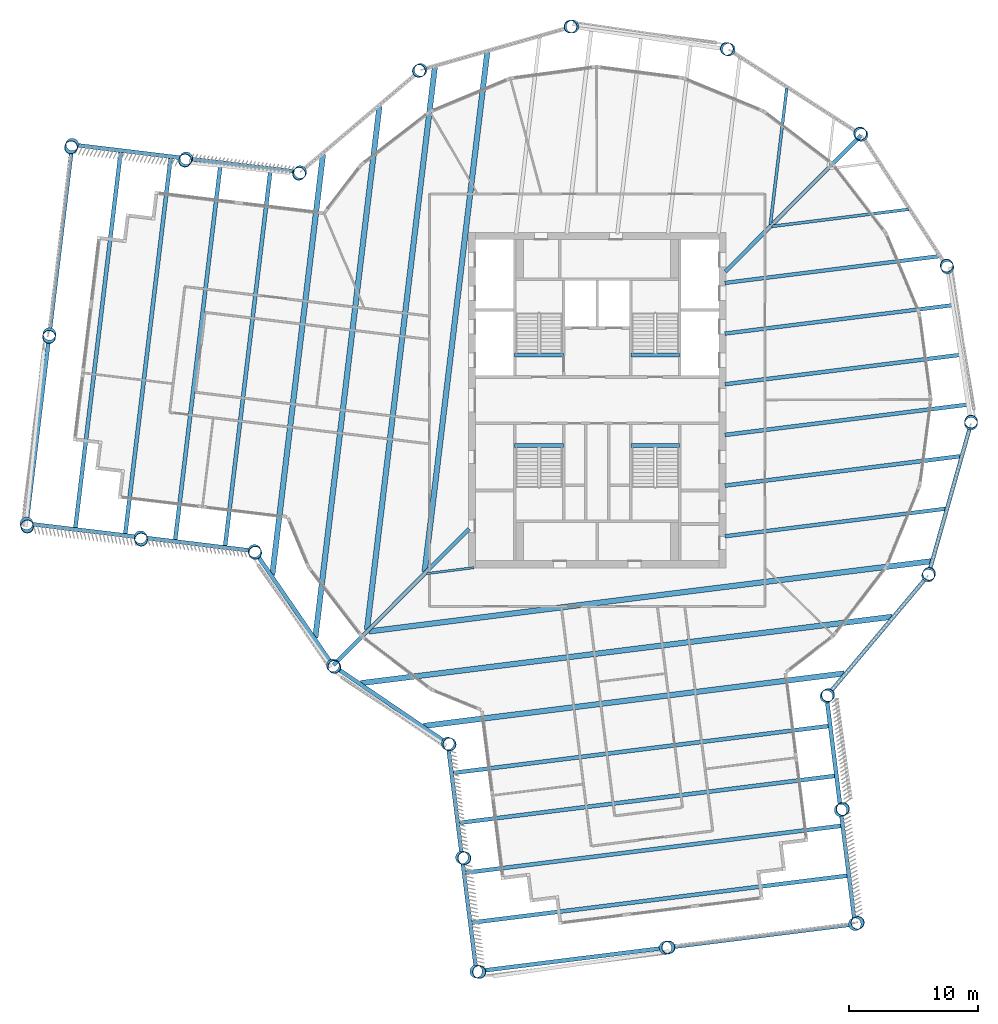
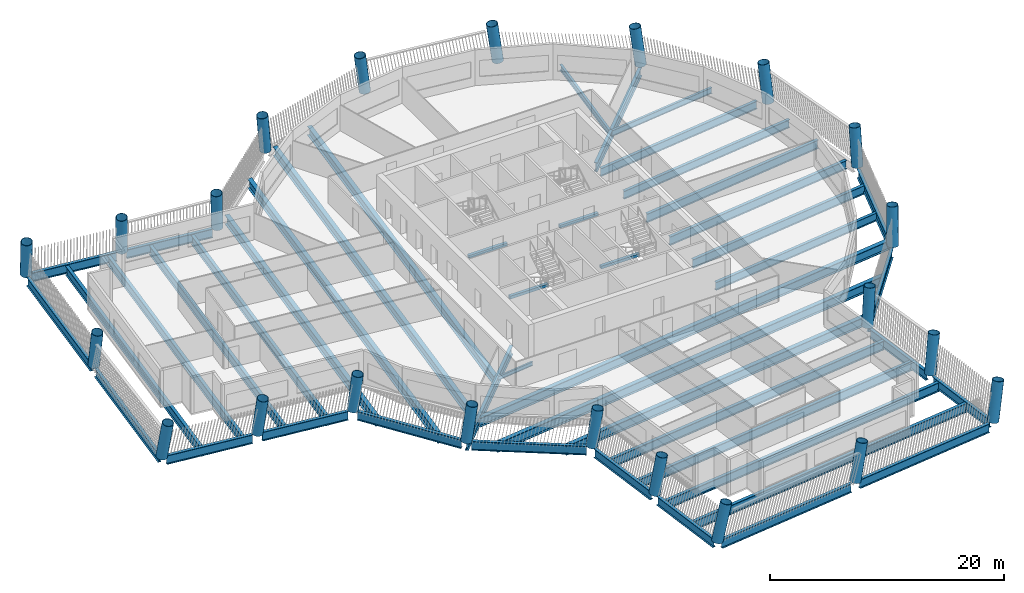
# One storey, part 1 of 14: 46 beams, 22 columns.
"""IFC4 building model written with IfcOpenShell, lengths in metres."""

from ifc_helpers import new_model, si_unit, direction, frame, origin, origin_2d, place, context, subcontext, project, spatial, rectangle, hollow_circle, i_section, extrude, material, material_profile, profile_set, type_object, element, save


model = new_model("IFC4")

# Units and contexts
model_context = context("Model", 3, precision=1e-05, world=origin(), true_north=direction((0.0, 1.0)))
body_context = subcontext(model_context, "Body", "Model", "MODEL_VIEW")
ifc_project = project(units=[si_unit("LENGTHUNIT", "METRE"), si_unit("AREAUNIT", "SQUARE_METRE"), si_unit("VOLUMEUNIT", "CUBIC_METRE"), si_unit("PLANEANGLEUNIT", "RADIAN"), si_unit("MASSUNIT", "GRAM", prefix="KILO")], contexts=[model_context])

# Site, building, storey
site_placement = place(None, origin())
site = spatial("IfcSite", under=ifc_project, at=site_placement, CompositionType="ELEMENT")
building_placement = place(site_placement, origin())
building = spatial("IfcBuilding", under=site, at=building_placement, Name="Tarsis Ring Headquarters", CompositionType="ELEMENT")
storey_placement = place(building_placement, frame((0.0, 0.0, 259.10009765625)))
storey = spatial("IfcBuildingStorey", under=building, at=storey_placement, Name="L60", CompositionType="ELEMENT", Elevation=259.10009765625)

# Columns
ifc_material_1 = material(Name="Structural steel S355", Category="steel")
ifc_material_profile_1 = material_profile(ifc_material_1, hollow_circle(Radius=0.508056640625, WallThickness=0.0400390625, at=origin_2d()), Name="CHS 1016x40")
ifc_profile_set_1 = profile_set([ifc_material_profile_1], Name="Structural steel S355")
column_type = type_object("IfcColumnType", Name="XC Exo column CHS 1016x40", PredefinedType="COLUMN", material=ifc_profile_set_1)
for number, where, z_axis, x_axis, name in (
    (1, (-20.497314453125, -20.58349609375, 0.0009765625), (0.0921771518, -0.090189504322, 0.991649749658), (0.69935835737, 0.71477121373, 0.0), "Exo column XC6 F1"),
    (2, (-11.587646484375, -26.63720703125, 0.0009765625), (0.118700033042, -0.050374529983, 0.991651505764), (0.390661179259, 0.920534542003, 0.0), "Exo column XC6 AK"),
):
    element("IfcColumn", number, at=place(storey_placement, frame(where, z_axis=z_axis, x_axis=x_axis)), inside=storey, type_object=column_type, Name=name, PredefinedType="COLUMN", context=body_context, shape_type="SweptSolid", body=[
        extrude(hollow_circle(Radius=0.508056640625, WallThickness=0.0400390625, at=origin_2d()), origin(), (0.0, 0.0, 1.0), 3.930419921875),
    ])
column_1_placement = place(storey_placement, frame((-10.484130859375, -35.470947265625, 0.001220703125), z_axis=(0.157033543302, -0.044866726658, 0.986573587279), x_axis=(0.274721127897, 0.961523947641, 0.0)))
element("IfcColumn", 3, at=column_1_placement, inside=storey, type_object=column_type, Name="Exo column XC6 AI1", PredefinedType="COLUMN", context=body_context, shape_type="SweptSolid", body=[
    extrude(hollow_circle(Radius=0.508056640625, WallThickness=0.0400390625, at=origin_2d()), origin(), (0.0, 0.0, 1.0), 3.950439453125),
])
column_2_placement = place(storey_placement, frame((-9.380615234375, -44.304443359375, 0.00146484375), z_axis=(0.194700117411, -0.039418945247, 0.980070411264), x_axis=(0.198433738261, 0.980114305334, 0.0)))
element("IfcColumn", 4, at=column_2_placement, inside=storey, type_object=column_type, Name="Exo column XC6 AT1", PredefinedType="COLUMN", context=body_context, shape_type="SweptSolid", body=[
    extrude(hollow_circle(Radius=0.508056640625, WallThickness=0.0400390625, at=origin_2d()), origin(), (0.0, 0.0, 1.0), 3.976318359375),
])
column_3_placement = place(storey_placement, frame((5.30517578125, -42.469970703125, 0.00146484375), z_axis=(0.186496685515, 0.024981080277, 0.982137939355), x_axis=(-0.132763440397, 0.991147753311, 0.0)))
element("IfcColumn", 5, at=column_3_placement, inside=storey, type_object=column_type, Name="Exo column XC6 AT2", PredefinedType="COLUMN", context=body_context, shape_type="SweptSolid", body=[
    extrude(hollow_circle(Radius=0.508056640625, WallThickness=0.0400390625, at=origin_2d()), origin(), (0.0, 0.0, 1.0), 3.9677734375),
])
column_4_placement = place(storey_placement, frame((19.9912109375, -40.635498046875, 0.00146484375), z_axis=(0.177447051542, 0.089276129046, 0.980072607862), x_axis=(-0.449437762577, 0.893311646387, 0.0)))
element("IfcColumn", 6, at=column_4_placement, inside=storey, type_object=column_type, Name="Exo column XC6 AT3", PredefinedType="COLUMN", context=body_context, shape_type="SweptSolid", body=[
    extrude(hollow_circle(Radius=0.508056640625, WallThickness=0.0400390625, at=origin_2d()), origin(), (0.0, 0.0, 1.0), 3.976318359375),
])
column_5_placement = place(storey_placement, frame((18.8876953125, -31.8017578125, 0.001220703125), z_axis=(0.139668304049, 0.084604384178, 0.986577347714), x_axis=(-0.518108788532, 0.855314727598, 0.0)))
element("IfcColumn", 7, at=column_5_placement, inside=storey, type_object=column_type, Name="Exo column XC6 AO1", PredefinedType="COLUMN", context=body_context, shape_type="SweptSolid", body=[
    extrude(hollow_circle(Radius=0.508056640625, WallThickness=0.0400390625, at=origin_2d()), origin(), (0.0, 0.0, 1.0), 3.950439453125),
])
for number, where, z_axis, x_axis, name in (
    (8, (17.7841796875, -22.96826171875, 0.0009765625), (0.101246269004, 0.079816843969, 0.991654407761), (-0.619097399461, 0.785314210989, 0.0), "Exo column XC6 AJ"),
    (9, (25.67041015625, -13.595947265625, 0.0009765625), (0.059319070244, 0.114476488439, 0.99165335753), (-0.887878454079, 0.460078092048, 0.0), "Exo column XC6 R1"),
    (10, (28.992431640625, -1.80615234375, 0.0009765625), (0.006832553113, 0.128762569128, 0.991651913228), (-0.99859511486, 0.052988645748, 0.0), "Exo column XC6 R2"),
    (11, (27.1591796875, 10.3046875, 0.0009765625), (-0.046772117996, 0.120129184867, 0.991655861638), (-0.931859919004, -0.362818262156, 0.0), "Exo column XC6 R3"),
    (12, (20.497314453125, 20.58349609375, 0.0009765625), (-0.0921771518, 0.090189504322, 0.991649749658), (-0.69935835737, -0.71477121373, 0.0), "Exo column XC6 R4"),
    (13, (10.190673828125, 27.202392578125, 0.0009765625), (-0.121122861452, 0.044163258714, 0.991654606712), (-0.342555302848, -0.939497666038, 0.0), "Exo column XC6 R5"),
    (14, (-1.927734375, 28.984375, 0.0009765625), (-0.128576351779, -0.009627697839, 0.991652877371), (0.074670185581, -0.997208284856, 0.0), "Exo column XC6 R6"),
    (15, (-13.70361328125, 25.613037109375, 0.0009765625), (-0.113110544893, -0.061803949571, 0.991658346635), (0.479493517059, -0.877545421673, 0.0), "Exo column XC6 R7"),
    (16, (-23.042724609375, 17.6875, 0.0009765625), (-0.077581100465, -0.102923845853, 0.99165914245), (0.798551898532, -0.601925963347, 0.0), "Exo column XC6 BJ"),
):
    element("IfcColumn", number, at=place(storey_placement, frame(where, z_axis=z_axis, x_axis=x_axis)), inside=storey, type_object=column_type, Name=name, PredefinedType="COLUMN", context=body_context, shape_type="SweptSolid", body=[
        extrude(hollow_circle(Radius=0.508056640625, WallThickness=0.0400390625, at=origin_2d()), origin(), (0.0, 0.0, 1.0), 3.930419921875),
    ])
column_6_placement = place(storey_placement, frame((-31.880859375, 18.75390625, 0.001220703125), z_axis=(-0.081576152661, -0.141460464728, 0.986577046275), x_axis=(0.866280078926, -0.499558630049, 0.0)))
element("IfcColumn", 17, at=column_6_placement, inside=storey, type_object=column_type, Name="Exo column XC6 BO1", PredefinedType="COLUMN", context=body_context, shape_type="SweptSolid", body=[
    extrude(hollow_circle(Radius=0.508056640625, WallThickness=0.0400390625, at=origin_2d()), origin(), (0.0, 0.0, 1.0), 3.950439453125),
])
column_7_placement = place(storey_placement, frame((-40.718994140625, 19.820068359375, 0.00146484375), z_axis=(-0.08540870064, -0.179290730316, 0.980081725101), x_axis=(0.902797645031, -0.430065590493, 0.0)))
element("IfcColumn", 18, at=column_7_placement, inside=storey, type_object=column_type, Name="Exo column XC6 BT3", PredefinedType="COLUMN", context=body_context, shape_type="SweptSolid", body=[
    extrude(hollow_circle(Radius=0.508056640625, WallThickness=0.0400390625, at=origin_2d()), origin(), (0.0, 0.0, 1.0), 3.97607421875),
])
column_8_placement = place(storey_placement, frame((-42.491943359375, 5.126708984375, 0.00146484375), z_axis=(-0.020858880188, -0.186930023628, 0.982151756799), x_axis=(0.993831762431, -0.110898277638, 0.0)))
element("IfcColumn", 19, at=column_8_placement, inside=storey, type_object=column_type, Name="Exo column XC6 BT2", PredefinedType="COLUMN", context=body_context, shape_type="SweptSolid", body=[
    extrude(hollow_circle(Radius=0.508056640625, WallThickness=0.0400390625, at=origin_2d()), origin(), (0.0, 0.0, 1.0), 3.9677734375),
])
column_9_placement = place(storey_placement, frame((-44.2646484375, -9.566650390625, 0.00146484375), z_axis=(0.043655688244, -0.193779679462, 0.980073271093), x_axis=(0.975550141618, 0.219776980574, 0.0)))
element("IfcColumn", 20, at=column_9_placement, inside=storey, type_object=column_type, Name="Exo column XC6 BT1", PredefinedType="COLUMN", context=body_context, shape_type="SweptSolid", body=[
    extrude(hollow_circle(Radius=0.508056640625, WallThickness=0.0400390625, at=origin_2d()), origin(), (0.0, 0.0, 1.0), 3.976318359375),
])
column_10_placement = place(storey_placement, frame((-35.426513671875, -10.633056640625, 0.001220703125), z_axis=(0.048327673921, -0.155983438588, 0.98657670904), x_axis=(0.955204408698, 0.295946849288, 0.0)))
element("IfcColumn", 21, at=column_10_placement, inside=storey, type_object=column_type, Name="Exo column XC6 BI1", PredefinedType="COLUMN", context=body_context, shape_type="SweptSolid", body=[
    extrude(hollow_circle(Radius=0.508056640625, WallThickness=0.0400390625, at=origin_2d()), origin(), (0.0, 0.0, 1.0), 3.950439453125),
])
column_11_placement = place(storey_placement, frame((-26.58837890625, -11.69921875, 0.0009765625), z_axis=(0.052921237328, -0.117582044908, 0.991652058615), x_axis=(0.911894462824, 0.410424766152, 0.0)))
element("IfcColumn", 22, at=column_11_placement, inside=storey, type_object=column_type, Name="Exo column XC6 BK", PredefinedType="COLUMN", context=body_context, shape_type="SweptSolid", body=[
    extrude(hollow_circle(Radius=0.508056640625, WallThickness=0.0400390625, at=origin_2d()), origin(), (0.0, 0.0, 1.0), 3.930419921875),
])

# Beams
ifc_material_profile_2 = material_profile(ifc_material_1, i_section(OverallWidth=0.177734375, OverallDepth=0.406494140625, WebThickness=0.0078125, FlangeThickness=0.0126953125, at=origin_2d()), Name="W16x40")
ifc_profile_set_2 = profile_set([ifc_material_profile_2], Name="Structural steel S355")
beam_type_1 = type_object("IfcBeamType", Name="FB Floor beam W16x40", PredefinedType="JOIST", material=ifc_profile_set_2)
beam_1_placement = place(storey_placement, frame((-13.259033203125, -13.447021484375, -0.36328125), z_axis=(0.992290029632, 0.123937472509, 0.0), x_axis=(-0.123937472509, 0.992290029632, 0.0)))
element("IfcBeam", 23, at=beam_1_placement, inside=storey, type_object=beam_type_1, Name="Floor beam FB1", PredefinedType="JOIST", context=body_context, shape_type="SweptSolid", body=[
    extrude(i_section(OverallWidth=0.177734375, OverallDepth=0.406494140625, WebThickness=0.0078125, FlangeThickness=0.0126953125, at=origin_2d()), origin(), (0.0, 0.0, 1.0), 3.707275390625),
])
ifc_material_profile_3 = material_profile(ifc_material_1, i_section(OverallWidth=0.228271484375, OverallDepth=0.607177734375, WebThickness=0.01123046875, FlangeThickness=0.017333984375, at=origin_2d()), Name="W24x76")
ifc_profile_set_3 = profile_set([ifc_material_profile_3], Name="Structural steel S355")
beam_type_2 = type_object("IfcBeamType", Name="FB Floor beam W24x76", PredefinedType="JOIST", material=ifc_profile_set_3)
beam_2_placement = place(storey_placement, frame((13.56005859375, 13.484619140625, -0.463623046875), z_axis=(0.992287716249, 0.123955992923, 0.0), x_axis=(-0.123955992923, 0.992287716249, 0.0)))
element("IfcBeam", 24, at=beam_2_placement, inside=storey, type_object=beam_type_2, Name="Floor beam FB4", PredefinedType="JOIST", context=body_context, shape_type="SweptSolid", body=[
    extrude(i_section(OverallWidth=0.228271484375, OverallDepth=0.607177734375, WebThickness=0.01123046875, FlangeThickness=0.017333984375, at=origin_2d()), origin(), (0.0, 0.0, 1.0), 10.68505859375),
])
beam_3_placement = place(storey_placement, frame((14.707763671875, 24.224365234375, -0.463623046875), z_axis=(-0.119798415586, -0.992798237117, 0.0), x_axis=(0.992798237117, -0.119798415586, 0.0)))
element("IfcBeam", 25, at=beam_3_placement, inside=storey, type_object=beam_type_2, Name="Floor beam FB4", PredefinedType="JOIST", context=body_context, shape_type="SweptSolid", body=[
    extrude(i_section(OverallWidth=0.228271484375, OverallDepth=0.607177734375, WebThickness=0.01123046875, FlangeThickness=0.017333984375, at=origin_2d()), origin(), (0.0, 0.0, 1.0), 10.684814453125),
])
ifc_material_profile_4 = material_profile(ifc_material_1, i_section(OverallWidth=0.2919921875, OverallDepth=0.835693359375, WebThickness=0.013916015625, FlangeThickness=0.018798828125, at=origin_2d()), Name="W33x118")
ifc_profile_set_4 = profile_set([ifc_material_profile_4], Name="Structural steel S355")
beam_type_3 = type_object("IfcBeamType", Name="FB Floor beam W33x118", PredefinedType="JOIST", material=ifc_profile_set_4)
beam_4_placement = place(storey_placement, frame((9.90087890625, 9.097412109375, -0.577880859375), z_axis=(0.99228953466, 0.123941435383, 0.0), x_axis=(-0.123941435383, 0.99228953466, 0.0)))
element("IfcBeam", 26, at=beam_4_placement, inside=storey, type_object=beam_type_3, Name="Floor beam FB7", PredefinedType="JOIST", context=body_context, shape_type="SweptSolid", body=[
    extrude(i_section(OverallWidth=0.2919921875, OverallDepth=0.835693359375, WebThickness=0.013916015625, FlangeThickness=0.018798828125, at=origin_2d()), origin(), (0.0, 0.0, 1.0), 16.747314453125),
])
beam_5_placement = place(storey_placement, frame((9.90087890625, 5.1669921875, -0.577880859375), z_axis=(0.992288222213, 0.123951942535, 0.0), x_axis=(-0.123951942535, 0.992288222213, 0.0)))
element("IfcBeam", 27, at=beam_5_placement, inside=storey, type_object=beam_type_3, Name="Floor beam FB7", PredefinedType="JOIST", context=body_context, shape_type="SweptSolid", body=[
    extrude(i_section(OverallWidth=0.2919921875, OverallDepth=0.835693359375, WebThickness=0.013916015625, FlangeThickness=0.018798828125, at=origin_2d()), origin(), (0.0, 0.0, 1.0), 17.783935546875),
])
beam_6_placement = place(storey_placement, frame((9.90087890625, -10.55419921875, -0.577880859375), z_axis=(0.992289596981, 0.123940936434, 0.0), x_axis=(-0.123940936434, 0.992289596981, 0.0)))
element("IfcBeam", 28, at=beam_6_placement, inside=storey, type_object=beam_type_3, Name="Floor beam FB7", PredefinedType="JOIST", context=body_context, shape_type="SweptSolid", body=[
    extrude(i_section(OverallWidth=0.2919921875, OverallDepth=0.835693359375, WebThickness=0.013916015625, FlangeThickness=0.018798828125, at=origin_2d()), origin(), (0.0, 0.0, 1.0), 17.298828125),
])
ifc_material_profile_5 = material_profile(ifc_material_1, i_section(OverallWidth=0.3046875, OverallDepth=0.904296875, WebThickness=0.01513671875, FlangeThickness=0.02001953125, at=origin_2d()), Name="W36x135")
ifc_profile_set_5 = profile_set([ifc_material_profile_5], Name="Structural steel S355")
beam_type_4 = type_object("IfcBeamType", Name="FB Floor beam W36x135", PredefinedType="JOIST", material=ifc_profile_set_5)
beam_7_placement = place(storey_placement, frame((9.90087890625, 1.23681640625, -0.6123046875), z_axis=(0.992289525296, 0.123941510351, 0.0), x_axis=(-0.123941510351, 0.992289525296, 0.0)))
element("IfcBeam", 29, at=beam_7_placement, inside=storey, type_object=beam_type_4, Name="Floor beam FB8", PredefinedType="JOIST", context=body_context, shape_type="SweptSolid", body=[
    extrude(i_section(OverallWidth=0.3046875, OverallDepth=0.904296875, WebThickness=0.01513671875, FlangeThickness=0.02001953125, at=origin_2d()), origin(), (0.0, 0.0, 1.0), 18.372314453125),
])
beam_8_placement = place(storey_placement, frame((9.90087890625, -2.693603515625, -0.6123046875), z_axis=(0.992288966059, 0.123945987585, 0.0), x_axis=(-0.123945987585, 0.992288966059, 0.0)))
element("IfcBeam", 30, at=beam_8_placement, inside=storey, type_object=beam_type_4, Name="Floor beam FB8", PredefinedType="JOIST", context=body_context, shape_type="SweptSolid", body=[
    extrude(i_section(OverallWidth=0.3046875, OverallDepth=0.904296875, WebThickness=0.01513671875, FlangeThickness=0.02001953125, at=origin_2d()), origin(), (0.0, 0.0, 1.0), 18.960693359375),
])
beam_9_placement = place(storey_placement, frame((9.90087890625, -6.623779296875, -0.6123046875), z_axis=(0.992289879555, 0.123938674082, 0.0), x_axis=(-0.123938674082, 0.992289879555, 0.0)))
element("IfcBeam", 31, at=beam_9_placement, inside=storey, type_object=beam_type_4, Name="Floor beam FB8", PredefinedType="JOIST", context=body_context, shape_type="SweptSolid", body=[
    extrude(i_section(OverallWidth=0.3046875, OverallDepth=0.904296875, WebThickness=0.01513671875, FlangeThickness=0.02001953125, at=origin_2d()), origin(), (0.0, 0.0, 1.0), 18.45556640625),
])
ifc_material_profile_6 = material_profile(ifc_material_1, i_section(OverallWidth=0.309814453125, OverallDepth=0.949951171875, WebThickness=0.0244140625, FlangeThickness=0.0439453125, at=origin_2d()), Name="W36x256")
ifc_profile_set_6 = profile_set([ifc_material_profile_6], Name="Structural steel S355")
beam_type_5 = type_object("IfcBeamType", Name="FB Floor beam W36x256", PredefinedType="JOIST", material=ifc_profile_set_6)
for number, where, z_axis, x_axis, name in (
    (32, (-11.24755859375, -28.9169921875, -0.635009765625), (0.992289589885, 0.123940993243, 0.0), (-0.123940993243, 0.992289589885, 0.0), "Floor beam FB11"),
    (33, (-10.76416015625, -32.787109375, -0.635009765625), (0.992288571689, 0.123949144797, 0.0), (-0.123949144797, 0.992288571689, 0.0), "Floor beam FB11"),
    (34, (-10.28076171875, -36.656982421875, -0.635009765625), (0.992288571689, 0.123949144797, 0.0), (-0.123949144797, 0.992288571689, 0.0), "Floor beam FB11"),
    (35, (-9.79736328125, -40.52685546875, -0.635009765625), (0.992288571689, 0.123949144797, 0.0), (-0.123949144797, 0.992288571689, 0.0), "Floor beam FB11"),
):
    element("IfcBeam", number, at=place(storey_placement, frame(where, z_axis=z_axis, x_axis=x_axis)), inside=storey, type_object=beam_type_5, Name=name, PredefinedType="JOIST", context=body_context, shape_type="SweptSolid", body=[
        extrude(i_section(OverallWidth=0.309814453125, OverallDepth=0.949951171875, WebThickness=0.0244140625, FlangeThickness=0.0439453125, at=origin_2d()), origin(), (0.0, 0.0, 1.0), 29.489990234375),
    ])
beam_10_placement = place(storey_placement, frame((-25.337158203125, 17.9091796875, -0.635009765625), z_axis=(-0.119784706942, -0.992799891208, 0.0), x_axis=(0.992799891208, -0.119784706942, 0.0)))
element("IfcBeam", 36, at=beam_10_placement, inside=storey, type_object=beam_type_5, Name="Floor beam FB11", PredefinedType="JOIST", context=body_context, shape_type="SweptSolid", body=[
    extrude(i_section(OverallWidth=0.309814453125, OverallDepth=0.949951171875, WebThickness=0.0244140625, FlangeThickness=0.0439453125, at=origin_2d()), origin(), (0.0, 0.0, 1.0), 29.490234375),
])
beam_11_placement = place(storey_placement, frame((-29.208984375, 18.376220703125, -0.635009765625), z_axis=(-0.119793851454, -0.992798787849, 0.0), x_axis=(0.992798787849, -0.119793851454, 0.0)))
element("IfcBeam", 37, at=beam_11_placement, inside=storey, type_object=beam_type_5, Name="Floor beam FB11", PredefinedType="JOIST", context=body_context, shape_type="SweptSolid", body=[
    extrude(i_section(OverallWidth=0.309814453125, OverallDepth=0.949951171875, WebThickness=0.0244140625, FlangeThickness=0.0439453125, at=origin_2d()), origin(), (0.0, 0.0, 1.0), 29.489990234375),
])
for number, where, z_axis, x_axis, name in (
    (38, (-33.0810546875, 18.843505859375, -0.635009765625), (-0.119784706942, -0.992799891208, 0.0), (0.992799891208, -0.119784706942, 0.0), "Floor beam FB11"),
    (39, (-36.952880859375, 19.310791015625, -0.635009765625), (-0.119792866857, -0.992798906652, 0.0), (0.992798906652, -0.119792866857, 0.0), "Floor beam FB11"),
):
    element("IfcBeam", number, at=place(storey_placement, frame(where, z_axis=z_axis, x_axis=x_axis)), inside=storey, type_object=beam_type_5, Name=name, PredefinedType="JOIST", context=body_context, shape_type="SweptSolid", body=[
        extrude(i_section(OverallWidth=0.309814453125, OverallDepth=0.949951171875, WebThickness=0.0244140625, FlangeThickness=0.0439453125, at=origin_2d()), origin(), (0.0, 0.0, 1.0), 29.490234375),
    ])
beam_type_6 = type_object("IfcBeamType", Name="FB Floor beam W36x256 spine", PredefinedType="BEAM", material=ifc_profile_set_6)
beam_12_placement = place(storey_placement, frame((-9.929443359375, -9.97119140625, -0.635009765625), z_axis=(-0.705624235953, -0.708586224559, 0.0), x_axis=(0.708586224559, -0.705624235953, 0.0)))
element("IfcBeam", 40, at=beam_12_placement, inside=storey, type_object=beam_type_6, Name="Floor beam SB11", PredefinedType="BEAM", context=body_context, shape_type="SweptSolid", body=[
    extrude(i_section(OverallWidth=0.309814453125, OverallDepth=0.949951171875, WebThickness=0.0244140625, FlangeThickness=0.0439453125, at=origin_2d()), origin(), (0.0, 0.0, 1.0), 14.9189453125),
])
beam_13_placement = place(storey_placement, frame((20.4560546875, 20.5419921875, -0.635009765625), z_axis=(-0.705624167257, -0.708586292968, 0.0), x_axis=(0.708586292968, -0.705624167257, 0.0)))
element("IfcBeam", 41, at=beam_13_placement, inside=storey, type_object=beam_type_6, Name="Floor beam SB11", PredefinedType="BEAM", context=body_context, shape_type="SweptSolid", body=[
    extrude(i_section(OverallWidth=0.309814453125, OverallDepth=0.949951171875, WebThickness=0.0244140625, FlangeThickness=0.0439453125, at=origin_2d()), origin(), (0.0, 0.0, 1.0), 14.918212890625),
])
ifc_material_profile_7 = material_profile(ifc_material_1, i_section(OverallWidth=0.42431640625, OverallDepth=0.947509765625, WebThickness=0.02392578125, FlangeThickness=0.042724609375, at=origin_2d()), Name="W36x302")
ifc_profile_set_7 = profile_set([ifc_material_profile_7], Name="Structural steel S355")
beam_type_7 = type_object("IfcBeamType", Name="FB Floor beam W36x302", PredefinedType="JOIST", material=ifc_profile_set_7)
beam_14_placement = place(storey_placement, frame((-17.72900390625, -17.935791015625, -0.6337890625), z_axis=(0.992288461425, 0.123950027523, 0.0), x_axis=(-0.123950027523, 0.992288461425, 0.0)))
element("IfcBeam", 42, at=beam_14_placement, inside=storey, type_object=beam_type_7, Name="Floor beam FB12", PredefinedType="JOIST", context=body_context, shape_type="SweptSolid", body=[
    extrude(i_section(OverallWidth=0.42431640625, OverallDepth=0.947509765625, WebThickness=0.02392578125, FlangeThickness=0.042724609375, at=origin_2d()), origin(), (0.0, 0.0, 1.0), 43.986572265625),
])
beam_15_placement = place(storey_placement, frame((-18.339111328125, -21.9423828125, -0.6337890625), z_axis=(0.992288185075, 0.12395223984, 0.0), x_axis=(-0.12395223984, 0.992288185075, 0.0)))
element("IfcBeam", 43, at=beam_15_placement, inside=storey, type_object=beam_type_7, Name="Floor beam FB12", PredefinedType="JOIST", context=body_context, shape_type="SweptSolid", body=[
    extrude(i_section(OverallWidth=0.42431640625, OverallDepth=0.947509765625, WebThickness=0.02392578125, FlangeThickness=0.042724609375, at=origin_2d()), origin(), (0.0, 0.0, 1.0), 41.52392578125),
])
beam_16_placement = place(storey_placement, frame((-13.453125, -25.26220703125, -0.6337890625), z_axis=(0.992289297433, 0.123943334637, 0.0), x_axis=(-0.123943334637, 0.992289297433, 0.0)))
element("IfcBeam", 44, at=beam_16_placement, inside=storey, type_object=beam_type_7, Name="Floor beam FB12", PredefinedType="JOIST", context=body_context, shape_type="SweptSolid", body=[
    extrude(i_section(OverallWidth=0.42431640625, OverallDepth=0.947509765625, WebThickness=0.02392578125, FlangeThickness=0.042724609375, at=origin_2d()), origin(), (0.0, 0.0, 1.0), 32.87548828125),
])
beam_17_placement = place(storey_placement, frame((-8.5234375, 27.03076171875, -0.6337890625), z_axis=(-0.119785040532, -0.992799850959, 0.0), x_axis=(0.992799850959, -0.119785040532, 0.0)))
element("IfcBeam", 45, at=beam_17_placement, inside=storey, type_object=beam_type_7, Name="Floor beam FB12", PredefinedType="JOIST", context=body_context, shape_type="SweptSolid", body=[
    extrude(i_section(OverallWidth=0.42431640625, OverallDepth=0.947509765625, WebThickness=0.02392578125, FlangeThickness=0.042724609375, at=origin_2d()), origin(), (0.0, 0.0, 1.0), 40.638916015625),
])
beam_18_placement = place(storey_placement, frame((-12.59228515625, 25.865966796875, -0.6337890625), z_axis=(-0.119787336226, -0.992799573972, 0.0), x_axis=(0.992799573972, -0.119787336226, 0.0)))
element("IfcBeam", 46, at=beam_18_placement, inside=storey, type_object=beam_type_7, Name="Floor beam FB12", PredefinedType="JOIST", context=body_context, shape_type="SweptSolid", body=[
    extrude(i_section(OverallWidth=0.42431640625, OverallDepth=0.947509765625, WebThickness=0.02392578125, FlangeThickness=0.042724609375, at=origin_2d()), origin(), (0.0, 0.0, 1.0), 43.986572265625),
])
beam_19_placement = place(storey_placement, frame((-16.89111328125, 22.7939453125, -0.6337890625), z_axis=(-0.119789485988, -0.992799314588, 0.0), x_axis=(0.992799314588, -0.119789485988, 0.0)))
element("IfcBeam", 47, at=beam_19_placement, inside=storey, type_object=beam_type_7, Name="Floor beam FB12", PredefinedType="JOIST", context=body_context, shape_type="SweptSolid", body=[
    extrude(i_section(OverallWidth=0.42431640625, OverallDepth=0.947509765625, WebThickness=0.02392578125, FlangeThickness=0.042724609375, at=origin_2d()), origin(), (0.0, 0.0, 1.0), 41.52392578125),
])
beam_20_placement = place(storey_placement, frame((-21.267578125, 19.079833984375, -0.6337890625), z_axis=(-0.119792648467, -0.992798933004, 0.0), x_axis=(0.992798933004, -0.119792648467, 0.0)))
element("IfcBeam", 48, at=beam_20_placement, inside=storey, type_object=beam_type_7, Name="Floor beam FB12", PredefinedType="JOIST", context=body_context, shape_type="SweptSolid", body=[
    extrude(i_section(OverallWidth=0.42431640625, OverallDepth=0.947509765625, WebThickness=0.02392578125, FlangeThickness=0.042724609375, at=origin_2d()), origin(), (0.0, 0.0, 1.0), 32.87548828125),
])
ifc_material_2 = material(Name="Concrete C40/50", Category="concrete")
ifc_material_profile_8 = material_profile(ifc_material_2, rectangle(XDim=0.300048828125, YDim=0.300048828125, at=origin_2d()), Name="Stair head beam 300x300 C40/50")
ifc_profile_set_8 = profile_set([ifc_material_profile_8], Name="Concrete C40/50")
beam_type_8 = type_object("IfcBeamType", Name="Stair head beam 300x300 C40/50", PredefinedType="BEAM", material=ifc_profile_set_8)
for number, where, z_axis, x_axis, name in (
    (49, (-6.39990234375, 3.510009765625, -0.31005859375), (1.0, 0.0, 0.0), (0.0, 1.0, 0.0), "Stair head beam L60 Firefighting stair"),
    (50, (2.60009765625, 3.510009765625, -0.31005859375), (1.0, 0.0, 0.0), (0.0, 1.0, 0.0), "Stair head beam L60 Exit stair B"),
    (51, (-6.39990234375, -3.510009765625, -0.31005859375), (1.0, 0.0, 0.0), (0.0, 1.0, 0.0), "Stair head beam L60 Exit stair C"),
    (52, (2.60009765625, -3.510009765625, -0.31005859375), (1.0, 0.0, 0.0), (0.0, 1.0, 0.0), "Stair head beam L60 Exit stair D"),
):
    element("IfcBeam", number, at=place(storey_placement, frame(where, z_axis=z_axis, x_axis=x_axis)), inside=storey, type_object=beam_type_8, Name=name, PredefinedType="BEAM", context=body_context, shape_type="SweptSolid", body=[
        extrude(rectangle(XDim=0.300048828125, YDim=0.300048828125, at=origin_2d()), origin(), (0.0, 0.0, 1.0), 3.7998046875),
    ])
ifc_material_profile_9 = material_profile(ifc_material_1, i_section(OverallWidth=0.309814453125, OverallDepth=0.93212890625, WebThickness=0.02099609375, FlangeThickness=0.034423828125, at=origin_2d()), Name="W36x210")
ifc_profile_set_9 = profile_set([ifc_material_profile_9], Name="Structural steel S355")
beam_type_9 = type_object("IfcBeamType", Name="XG Ring girder W36x210", PredefinedType="BEAM", material=ifc_profile_set_9)
beam_21_placement = place(storey_placement, frame((-20.119140625, -20.84033203125, -0.46630859375), z_axis=(0.827125455017, -0.562017332173, 0.0), x_axis=(0.562017332173, 0.827125455017, 0.0)))
element("IfcBeam", 53, at=beam_21_placement, inside=storey, type_object=beam_type_9, Name="Ring girder XG3", PredefinedType="BEAM", context=body_context, shape_type="SweptSolid", body=[
    extrude(i_section(OverallWidth=0.309814453125, OverallDepth=0.93212890625, WebThickness=0.02099609375, FlangeThickness=0.034423828125, at=origin_2d()), origin(), (0.0, 0.0, 1.0), 9.857421875),
])
for number, where, z_axis, x_axis, name in (
    (54, (-11.531005859375, -27.0908203125, -0.46630859375), (0.123936929258, -0.992290097485, 0.0), (0.992290097485, 0.123936929258, 0.0), "Ring girder XG3"),
    (55, (-10.427734375, -35.924560546875, -0.46630859375), (0.123967023591, -0.992286338242, 0.0), (0.992286338242, 0.123967023591, 0.0), "Ring girder XG3"),
):
    element("IfcBeam", number, at=place(storey_placement, frame(where, z_axis=z_axis, x_axis=x_axis)), inside=storey, type_object=beam_type_9, Name=name, PredefinedType="BEAM", context=body_context, shape_type="SweptSolid", body=[
        extrude(i_section(OverallWidth=0.309814453125, OverallDepth=0.93212890625, WebThickness=0.02099609375, FlangeThickness=0.034423828125, at=origin_2d()), origin(), (0.0, 0.0, 1.0), 7.98779296875),
    ])
for number, where, z_axis, x_axis, name in (
    (56, (-8.92724609375, -44.247802734375, -0.46630859375), (0.992287881825, 0.12395466745, 0.0), (-0.12395466745, 0.992287881825, 0.0), "Ring girder XG3"),
    (57, (5.758544921875, -42.413330078125, -0.46630859375), (0.992287881825, 0.12395466745, 0.0), (-0.12395466745, 0.992287881825, 0.0), "Ring girder XG3"),
):
    element("IfcBeam", number, at=place(storey_placement, frame(where, z_axis=z_axis, x_axis=x_axis)), inside=storey, type_object=beam_type_9, Name=name, PredefinedType="BEAM", context=body_context, shape_type="SweptSolid", body=[
        extrude(i_section(OverallWidth=0.309814453125, OverallDepth=0.93212890625, WebThickness=0.02099609375, FlangeThickness=0.034423828125, at=origin_2d()), origin(), (0.0, 0.0, 1.0), 13.8857421875),
    ])
beam_22_placement = place(storey_placement, frame((19.93408203125, -40.181884765625, -0.46630859375), z_axis=(-0.123936929258, 0.992290097485, 0.0), x_axis=(-0.992290097485, -0.123936929258, 0.0)))
element("IfcBeam", 58, at=beam_22_placement, inside=storey, type_object=beam_type_9, Name="Ring girder XG3", PredefinedType="BEAM", context=body_context, shape_type="SweptSolid", body=[
    extrude(i_section(OverallWidth=0.309814453125, OverallDepth=0.93212890625, WebThickness=0.02099609375, FlangeThickness=0.034423828125, at=origin_2d()), origin(), (0.0, 0.0, 1.0), 7.98779296875),
])
beam_23_placement = place(storey_placement, frame((18.830810546875, -31.34814453125, -0.46630859375), z_axis=(-0.123970783389, 0.992285868521, 0.0), x_axis=(-0.992285868521, -0.123970783389, 0.0)))
element("IfcBeam", 59, at=beam_23_placement, inside=storey, type_object=beam_type_9, Name="Ring girder XG3", PredefinedType="BEAM", context=body_context, shape_type="SweptSolid", body=[
    extrude(i_section(OverallWidth=0.309814453125, OverallDepth=0.93212890625, WebThickness=0.02099609375, FlangeThickness=0.034423828125, at=origin_2d()), origin(), (0.0, 0.0, 1.0), 7.987548828125),
])
for number, where, z_axis, x_axis, name in (
    (60, (18.078369140625, -22.618408203125, -0.46630859375), (0.643844511084, 0.76515635366, 0.0), (-0.76515635366, 0.643844511084, 0.0), "Ring girder XG3"),
    (61, (25.794189453125, -13.156005859375, -0.46630859375), (0.271225845647, 0.962515735276, 0.0), (-0.962515735276, 0.271225845647, 0.0), "Ring girder XG3"),
):
    element("IfcBeam", number, at=place(storey_placement, frame(where, z_axis=z_axis, x_axis=x_axis)), inside=storey, type_object=beam_type_9, Name=name, PredefinedType="BEAM", context=body_context, shape_type="SweptSolid", body=[
        extrude(i_section(OverallWidth=0.309814453125, OverallDepth=0.93212890625, WebThickness=0.02099609375, FlangeThickness=0.034423828125, at=origin_2d()), origin(), (0.0, 0.0, 1.0), 11.33447265625),
    ])
for number, where, z_axis, x_axis, name in (
    (62, (-23.49658203125, 17.742431640625, -0.46630859375), (-0.992800125804, 0.119782762546, 0.0), (-0.119782762546, -0.992800125804, 0.0), "Ring girder XG3"),
    (63, (-32.334716796875, 18.808837890625, -0.46630859375), (-0.992800125804, 0.119782762546, 0.0), (-0.119782762546, -0.992800125804, 0.0), "Ring girder XG3"),
):
    element("IfcBeam", number, at=place(storey_placement, frame(where, z_axis=z_axis, x_axis=x_axis)), inside=storey, type_object=beam_type_9, Name=name, PredefinedType="BEAM", context=body_context, shape_type="SweptSolid", body=[
        extrude(i_section(OverallWidth=0.309814453125, OverallDepth=0.93212890625, WebThickness=0.02099609375, FlangeThickness=0.034423828125, at=origin_2d()), origin(), (0.0, 0.0, 1.0), 7.98779296875),
    ])
for number, where, z_axis, x_axis, name in (
    (64, (-40.773681640625, 19.366455078125, -0.46630859375), (-0.119787890794, -0.99279950706, 0.0), (0.99279950706, -0.119787890794, 0.0), "Ring girder XG3"),
    (65, (-42.546630859375, 4.673095703125, -0.46630859375), (-0.119787890794, -0.99279950706, 0.0), (0.99279950706, -0.119787890794, 0.0), "Ring girder XG3"),
):
    element("IfcBeam", number, at=place(storey_placement, frame(where, z_axis=z_axis, x_axis=x_axis)), inside=storey, type_object=beam_type_9, Name=name, PredefinedType="BEAM", context=body_context, shape_type="SweptSolid", body=[
        extrude(i_section(OverallWidth=0.309814453125, OverallDepth=0.93212890625, WebThickness=0.02099609375, FlangeThickness=0.034423828125, at=origin_2d()), origin(), (0.0, 0.0, 1.0), 13.8857421875),
    ])
for number, where, z_axis, x_axis, name in (
    (66, (-43.810791015625, -9.62109375, -0.46630859375), (0.992796929342, -0.119809252933, 0.0), (0.119809252933, 0.992796929342, 0.0), "Ring girder XG3"),
    (67, (-34.97265625, -10.6875, -0.46630859375), (0.992796929342, -0.119809252933, 0.0), (0.119809252933, 0.992796929342, 0.0), "Ring girder XG3"),
):
    element("IfcBeam", number, at=place(storey_placement, frame(where, z_axis=z_axis, x_axis=x_axis)), inside=storey, type_object=beam_type_9, Name=name, PredefinedType="BEAM", context=body_context, shape_type="SweptSolid", body=[
        extrude(i_section(OverallWidth=0.309814453125, OverallDepth=0.93212890625, WebThickness=0.02099609375, FlangeThickness=0.034423828125, at=origin_2d()), origin(), (0.0, 0.0, 1.0), 7.988037109375),
    ])
beam_24_placement = place(storey_placement, frame((-26.329833984375, -12.076171875, -0.46630859375), z_axis=(0.565461450443, -0.824774725645, 0.0), x_axis=(0.824774725645, 0.565461450443, 0.0)))
element("IfcBeam", 68, at=beam_24_placement, inside=storey, type_object=beam_type_9, Name="Ring girder XG3", PredefinedType="BEAM", context=body_context, shape_type="SweptSolid", body=[
    extrude(i_section(OverallWidth=0.309814453125, OverallDepth=0.93212890625, WebThickness=0.02099609375, FlangeThickness=0.034423828125, at=origin_2d()), origin(), (0.0, 0.0, 1.0), 9.857421875),
])

save(model, "model.ifc")
